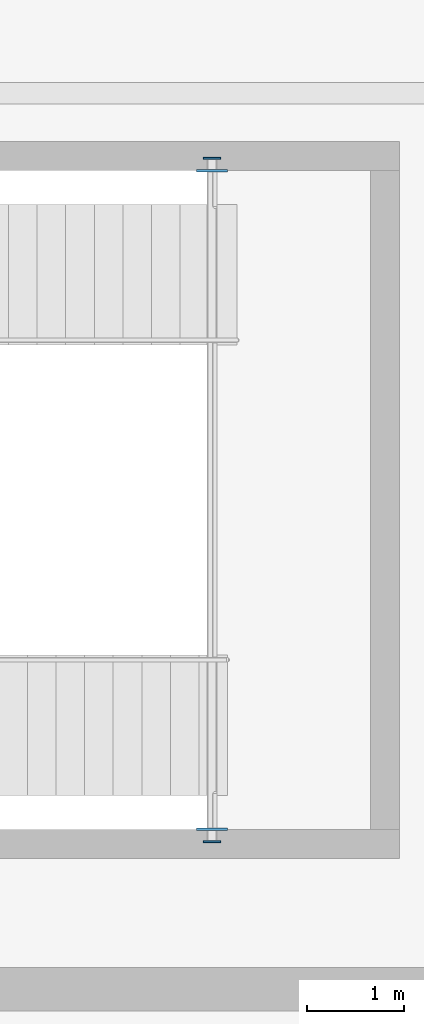
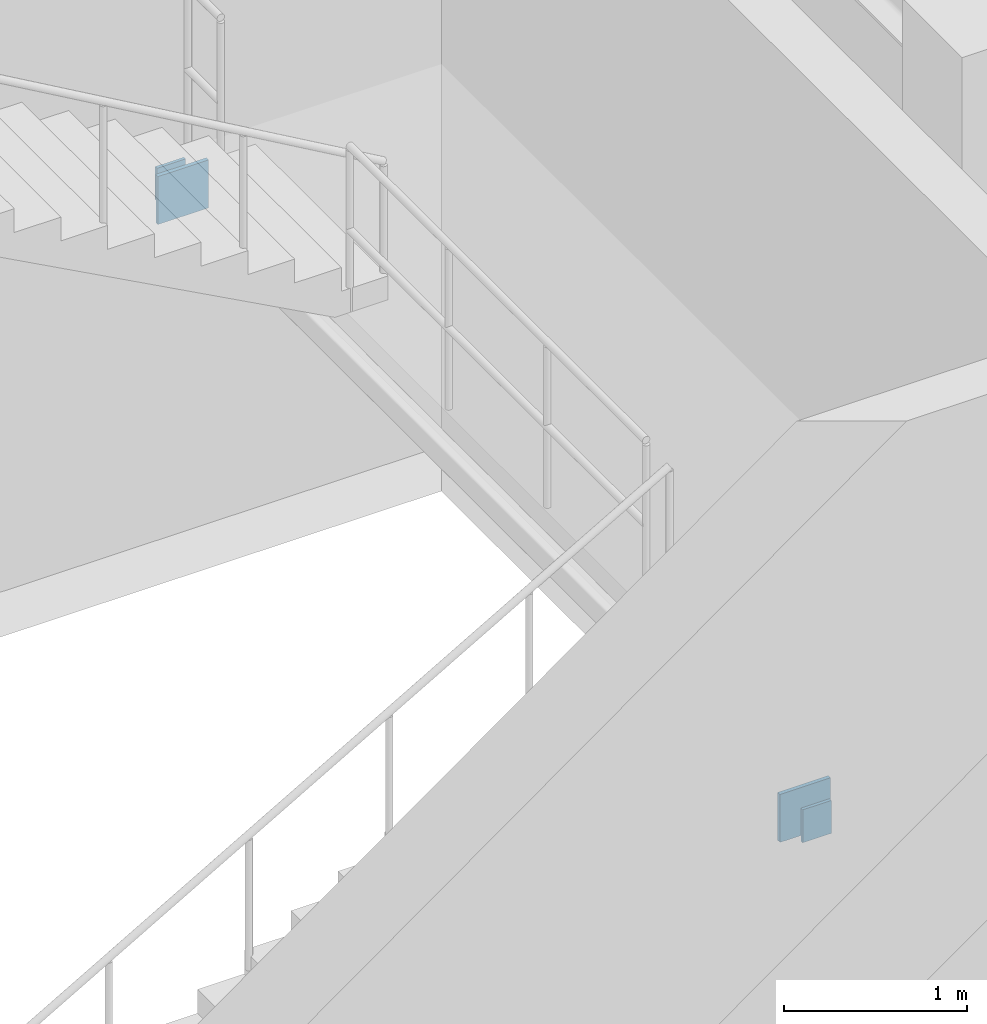
# One storey, part 32 of 68: 4 plates.
"""IFC4 building model written with IfcOpenShell, lengths in metres."""

from ifc_helpers import new_model, si_unit, direction, frame, origin, origin_2d, place, context, subcontext, project, spatial, rectangle, extrude, material, layer, layer_set, type_object, element, save


model = new_model("IFC4")

# Units and contexts
model_context = context("Model", 3, precision=1e-05, world=origin(), true_north=direction((0.0, 1.0)))
body_context = subcontext(model_context, "Body", "Model", "MODEL_VIEW")
ifc_project = project(units=[si_unit("LENGTHUNIT", "METRE"), si_unit("AREAUNIT", "SQUARE_METRE"), si_unit("VOLUMEUNIT", "CUBIC_METRE"), si_unit("PLANEANGLEUNIT", "RADIAN"), si_unit("MASSUNIT", "GRAM", prefix="KILO"), si_unit("THERMODYNAMICTEMPERATUREUNIT", "KELVIN"), si_unit("POWERUNIT", "WATT")], contexts=[model_context])

# Site, building, storey
site_placement = place(None, origin())
site = spatial("IfcSite", under=ifc_project, at=site_placement, CompositionType="ELEMENT")
building_placement = place(site_placement, origin())
building = spatial("IfcBuilding", under=site, at=building_placement, Name="Solvatero Civic Police Headquarters", CompositionType="ELEMENT")
storey_placement = place(building_placement, origin())
storey = spatial("IfcBuildingStorey", under=building, at=storey_placement, Name="L00", CompositionType="ELEMENT", Elevation=0.0)

# Plates
ifc_material = material(Name="Steel S355", Category="steel")
ifc_layer_1 = layer(ifc_material, 0.02001953125)
ifc_layer_set_1 = layer_set([ifc_layer_1], Name="Steel S355")
plate_type_1 = type_object("IfcPlateType", Name="PLT-CAP-20", PredefinedType="SHEET", material=ifc_layer_set_1)
for number, where, z_axis, x_axis, name in (
    (1, (119.56494140625, 8.070068359375, 2.1650390625), (0.0, 0.0, 1.0), (1.0, 0.0, 0.0), "Hollow Section Cap Plate 0069"),
    (2, (119.56494140625, 15.1298828125, 2.1650390625), (0.0, 0.0, 1.0), (1.0, 0.0, 0.0), "Hollow Section Cap Plate 0070"),
):
    element("IfcPlate", number, at=place(storey_placement, frame(where, z_axis=z_axis, x_axis=x_axis)), inside=storey, type_object=plate_type_1, Name=name, PredefinedType="SHEET", context=body_context, shape_type="SweptSolid", body=[
        extrude(rectangle(XDim=0.179931640625, YDim=0.02001953125, at=origin_2d()), origin(), (0.0, 0.0, 1.0), 0.219970703125),
    ])
ifc_layer_2 = layer(ifc_material, 0.02490234375)
ifc_layer_set_2 = layer_set([ifc_layer_2], Name="Steel S355")
plate_type_2 = type_object("IfcPlateType", Name="PLT-EMB-25", PredefinedType="SHEET", material=ifc_layer_set_2)
for number, where, z_axis, x_axis, name in (
    (3, (119.56494140625, 8.199951171875, 2.11474609375), (0.0, 0.0, 1.0), (1.0, 0.0, 0.0), "Cast-In Shear Wall Embed Plate 0069"),
    (4, (119.56494140625, 15.0, 2.11474609375), (0.0, 0.0, 1.0), (1.0, 0.0, 0.0), "Cast-In Shear Wall Embed Plate 0070"),
):
    element("IfcPlate", number, at=place(storey_placement, frame(where, z_axis=z_axis, x_axis=x_axis)), inside=storey, type_object=plate_type_2, Name=name, PredefinedType="SHEET", context=body_context, shape_type="SweptSolid", body=[
        extrude(rectangle(XDim=0.320068359375, YDim=0.02490234375, at=origin_2d()), origin(), (0.0, 0.0, 1.0), 0.320068359375),
    ])

save(model, "model.ifc")
